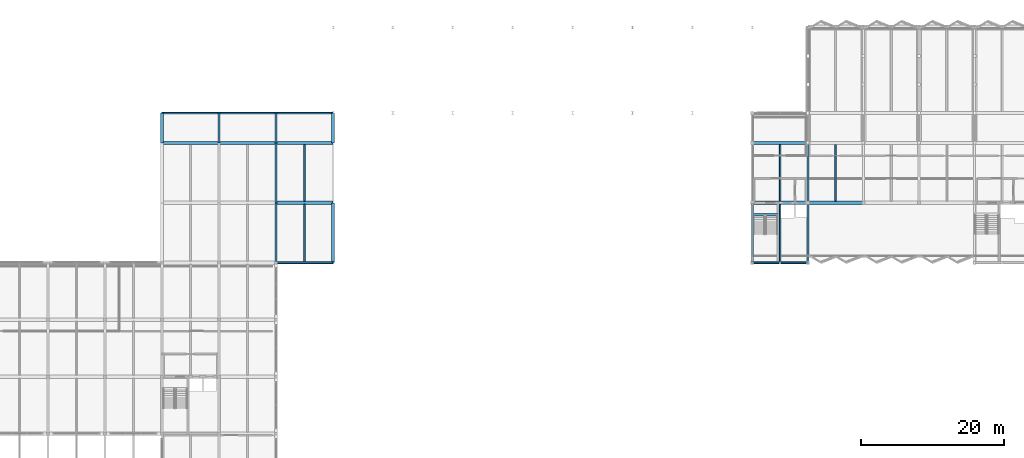
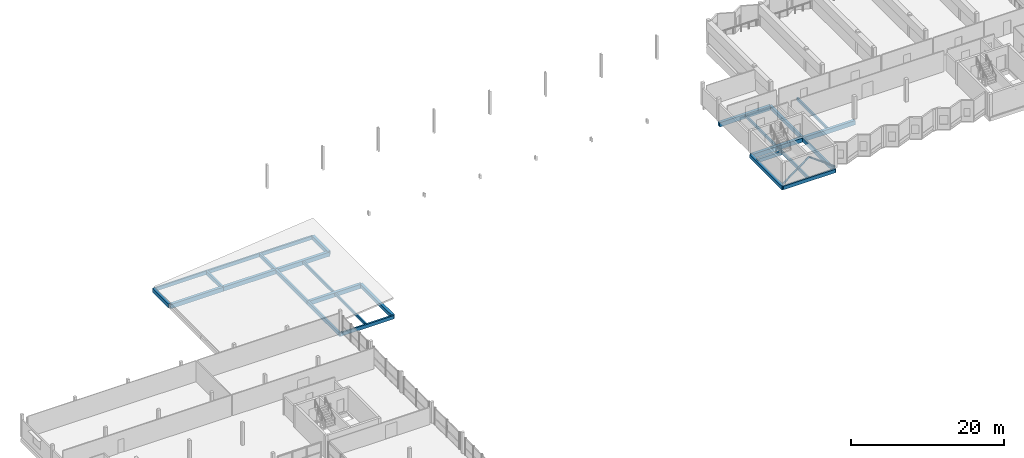
# One storey, part 17 of 34: 28 beams, 2 members.
"""IFC4 building model written with IfcOpenShell, lengths in metres."""

from ifc_helpers import new_model, si_unit, direction, frame, origin, origin_2d, place, context, subcontext, project, spatial, rectangle, hollow_circle, extrude, material, material_profile, profile_set, type_object, element, save


model = new_model("IFC4")

# Units and contexts
model_context = context("Model", 3, precision=1e-05, world=origin(), true_north=direction((0.0, 1.0)))
body_context = subcontext(model_context, "Body", "Model", "MODEL_VIEW")
ifc_project = project(units=[si_unit("LENGTHUNIT", "METRE"), si_unit("AREAUNIT", "SQUARE_METRE"), si_unit("VOLUMEUNIT", "CUBIC_METRE"), si_unit("PLANEANGLEUNIT", "RADIAN"), si_unit("MASSUNIT", "GRAM", prefix="KILO")], contexts=[model_context])

# Site, building, storey
site_placement = place(None, origin())
site = spatial("IfcSite", under=ifc_project, at=site_placement, CompositionType="ELEMENT")
building_placement = place(site_placement, origin())
building = spatial("IfcBuilding", under=site, at=building_placement, Name="Vharandega Faculty of Natural Sciences", CompositionType="ELEMENT")
storey_placement = place(building_placement, frame((0.0, 0.0, 21.60009765625)))
storey = spatial("IfcBuildingStorey", under=building, at=storey_placement, Name="L05", CompositionType="ELEMENT", Elevation=21.60009765625)

# Beams
ifc_material_1 = material(Name="Glulam GL28h", Category="wood")
ifc_material_profile_1 = material_profile(ifc_material_1, rectangle(XDim=0.300048828125, YDim=0.60009765625, at=origin_2d()), Name="GL28h 300x600")
ifc_profile_set_1 = profile_set([ifc_material_profile_1], Name="Glulam GL28h")
beam_type_1 = type_object("IfcBeamType", Name="Glulam Floor Beam 300x600", PredefinedType="BEAM", material=ifc_profile_set_1)
beam_1_placement = place(storey_placement, frame((40.0, 80.800048828125, -0.5400390625), z_axis=(0.0, 1.0, 0.0), x_axis=(-1.0, 0.0, 0.0)))
element("IfcBeam", 1, at=beam_1_placement, inside=storey, type_object=beam_type_1, Name="Beam L05 6/L-M", PredefinedType="BEAM", context=body_context, shape_type="SweptSolid", body=[
    extrude(rectangle(XDim=0.300048828125, YDim=0.60009765625, at=origin_2d()), origin(), (0.0, 0.0, 1.0), 4.199951171875),
])
beam_2_placement = place(storey_placement, frame((48.0, 64.0, -0.5400390625), z_axis=(0.0, 1.0, 0.0), x_axis=(-1.0, 0.0, 0.0)))
element("IfcBeam", 2, at=beam_2_placement, inside=storey, type_object=beam_type_1, Name="Beam L05 7/J-K", PredefinedType="BEAM", context=body_context, shape_type="SweptSolid", body=[
    extrude(rectangle(XDim=0.300048828125, YDim=0.60009765625, at=origin_2d()), origin(), (0.0, 0.0, 1.0), 8.39990234375),
])
beam_3_placement = place(storey_placement, frame((48.0, 72.39990234375, -0.5400390625), z_axis=(0.0, 1.0, 0.0), x_axis=(-1.0, 0.0, 0.0)))
element("IfcBeam", 3, at=beam_3_placement, inside=storey, type_object=beam_type_1, Name="Beam L05 7/K-L", PredefinedType="BEAM", context=body_context, shape_type="SweptSolid", body=[
    extrude(rectangle(XDim=0.300048828125, YDim=0.60009765625, at=origin_2d()), origin(), (0.0, 0.0, 1.0), 8.400146484375),
])
beam_4_placement = place(storey_placement, frame((48.0, 80.800048828125, -0.5400390625), z_axis=(0.0, 1.0, 0.0), x_axis=(-1.0, 0.0, 0.0)))
element("IfcBeam", 4, at=beam_4_placement, inside=storey, type_object=beam_type_1, Name="Beam L05 7/L-M", PredefinedType="BEAM", context=body_context, shape_type="SweptSolid", body=[
    extrude(rectangle(XDim=0.300048828125, YDim=0.60009765625, at=origin_2d()), origin(), (0.0, 0.0, 1.0), 4.199951171875),
])
beam_5_placement = place(storey_placement, frame((122.60009765625, 64.0, -0.5400390625), z_axis=(0.0, 1.0, 0.0), x_axis=(-1.0, 0.0, 0.0)))
element("IfcBeam", 5, at=beam_5_placement, inside=storey, type_object=beam_type_1, Name="Beam L05 16/J-K", PredefinedType="BEAM", context=body_context, shape_type="SweptSolid", body=[
    extrude(rectangle(XDim=0.300048828125, YDim=0.60009765625, at=origin_2d()), origin(), (0.0, 0.0, 1.0), 8.39990234375),
])
beam_6_placement = place(storey_placement, frame((122.60009765625, 72.39990234375, -0.5400390625), z_axis=(0.0, 1.0, 0.0), x_axis=(-1.0, 0.0, 0.0)))
element("IfcBeam", 6, at=beam_6_placement, inside=storey, type_object=beam_type_1, Name="Beam L05 16/K-L", PredefinedType="BEAM", context=body_context, shape_type="SweptSolid", body=[
    extrude(rectangle(XDim=0.300048828125, YDim=0.60009765625, at=origin_2d()), origin(), (0.0, 0.0, 1.0), 8.400146484375),
])
ifc_material_2 = material(Name="Glulam GL32h", Category="wood")
ifc_material_profile_2 = material_profile(ifc_material_2, rectangle(XDim=0.43994140625, YDim=0.679931640625, at=origin_2d()), Name="GL32h 440x680")
ifc_profile_set_2 = profile_set([ifc_material_profile_2], Name="Glulam GL32h")
beam_type_2 = type_object("IfcBeamType", Name="Glulam Girder 440x680", PredefinedType="BEAM", material=ifc_profile_set_2)
beam_7_placement = place(storey_placement, frame((48.0, 72.39990234375, -0.580078125), z_axis=(1.0, 0.0, 0.0), x_axis=(0.0, 1.0, 0.0)))
element("IfcBeam", 7, at=beam_7_placement, inside=storey, type_object=beam_type_2, Name="Beam L05 K/7-8", PredefinedType="BEAM", context=body_context, shape_type="SweptSolid", body=[
    extrude(rectangle(XDim=0.43994140625, YDim=0.679931640625, at=origin_2d()), origin(), (0.0, 0.0, 1.0), 8.0),
])
beam_8_placement = place(storey_placement, frame((114.800048828125, 72.39990234375, -0.580078125), z_axis=(1.0, 0.0, 0.0), x_axis=(0.0, 1.0, 0.0)))
element("IfcBeam", 8, at=beam_8_placement, inside=storey, type_object=beam_type_2, Name="Beam L05 K/15-16", PredefinedType="BEAM", context=body_context, shape_type="SweptSolid", body=[
    extrude(rectangle(XDim=0.43994140625, YDim=0.679931640625, at=origin_2d()), origin(), (0.0, 0.0, 1.0), 7.800048828125),
])
beam_9_placement = place(storey_placement, frame((122.60009765625, 72.39990234375, -0.580078125), z_axis=(1.0, 0.0, 0.0), x_axis=(0.0, 1.0, 0.0)))
element("IfcBeam", 9, at=beam_9_placement, inside=storey, type_object=beam_type_2, Name="Beam L05 K/16-17", PredefinedType="BEAM", context=body_context, shape_type="SweptSolid", body=[
    extrude(rectangle(XDim=0.43994140625, YDim=0.679931640625, at=origin_2d()), origin(), (0.0, 0.0, 1.0), 7.7998046875),
])
for number, where, z_axis, x_axis, name in (
    (10, (32.0, 80.800048828125, -0.580078125), (1.0, 0.0, 0.0), (0.0, 1.0, 0.0), "Beam L05 L/5-6"),
    (11, (40.0, 80.800048828125, -0.580078125), (1.0, 0.0, 0.0), (0.0, 1.0, 0.0), "Beam L05 L/6-7"),
    (12, (48.0, 80.800048828125, -0.580078125), (1.0, 0.0, 0.0), (0.0, 1.0, 0.0), "Beam L05 L/7-8"),
):
    element("IfcBeam", number, at=place(storey_placement, frame(where, z_axis=z_axis, x_axis=x_axis)), inside=storey, type_object=beam_type_2, Name=name, PredefinedType="BEAM", context=body_context, shape_type="SweptSolid", body=[
        extrude(rectangle(XDim=0.43994140625, YDim=0.679931640625, at=origin_2d()), origin(), (0.0, 0.0, 1.0), 8.0),
    ])
beam_10_placement = place(storey_placement, frame((114.800048828125, 80.800048828125, -0.580078125), z_axis=(1.0, 0.0, 0.0), x_axis=(0.0, 1.0, 0.0)))
element("IfcBeam", 13, at=beam_10_placement, inside=storey, type_object=beam_type_2, Name="Beam L05 L/15-16", PredefinedType="BEAM", context=body_context, shape_type="SweptSolid", body=[
    extrude(rectangle(XDim=0.43994140625, YDim=0.679931640625, at=origin_2d()), origin(), (0.0, 0.0, 1.0), 7.800048828125),
])
ifc_material_3 = material(Name="Glulam GL28h", Category="wood")
ifc_material_profile_3 = material_profile(ifc_material_3, rectangle(XDim=0.219970703125, YDim=0.43994140625, at=origin_2d()), Name="GL28h 220x440")
ifc_profile_set_3 = profile_set([ifc_material_profile_3], Name="Glulam GL28h")
beam_type_3 = type_object("IfcBeamType", Name="Glulam Secondary Joist 220x440", PredefinedType="JOIST", material=ifc_profile_set_3)
beam_11_placement = place(storey_placement, frame((52.0, 64.1201171875, -0.460205078125), z_axis=(0.0, 1.0, 0.0), x_axis=(-1.0, 0.0, 0.0)))
element("IfcBeam", 14, at=beam_11_placement, inside=storey, type_object=beam_type_3, Name="Secondary Joist L05 7-8/J-K", PredefinedType="JOIST", context=body_context, shape_type="SweptSolid", body=[
    extrude(rectangle(XDim=0.219970703125, YDim=0.43994140625, at=origin_2d()), origin(), (0.0, 0.0, 1.0), 8.059814453125),
])
beam_12_placement = place(storey_placement, frame((52.0, 72.6201171875, -0.460205078125), z_axis=(0.0, 1.0, 0.0), x_axis=(-1.0, 0.0, 0.0)))
element("IfcBeam", 15, at=beam_12_placement, inside=storey, type_object=beam_type_3, Name="Secondary Joist L05 7-8/K-L", PredefinedType="JOIST", context=body_context, shape_type="SweptSolid", body=[
    extrude(rectangle(XDim=0.219970703125, YDim=0.43994140625, at=origin_2d()), origin(), (0.0, 0.0, 1.0), 7.9599609375),
])
beam_13_placement = place(storey_placement, frame((118.699951171875, 64.1201171875, -0.460205078125), z_axis=(0.0, 1.0, 0.0), x_axis=(-1.0, 0.0, 0.0)))
element("IfcBeam", 16, at=beam_13_placement, inside=storey, type_object=beam_type_3, Name="Secondary Joist L05 15-16/J-K", PredefinedType="JOIST", context=body_context, shape_type="SweptSolid", body=[
    extrude(rectangle(XDim=0.219970703125, YDim=0.43994140625, at=origin_2d()), origin(), (0.0, 0.0, 1.0), 8.059814453125),
])
for number, where, z_axis, x_axis, name in (
    (17, (118.699951171875, 72.6201171875, -0.460205078125), (0.0, 1.0, 0.0), (-1.0, 0.0, 0.0), "Secondary Joist L05 15-16/K-L"),
    (18, (126.5, 72.6201171875, -0.460205078125), (0.0, 1.0, 0.0), (-1.0, 0.0, 0.0), "Secondary Joist L05 16-17/K-L"),
):
    element("IfcBeam", number, at=place(storey_placement, frame(where, z_axis=z_axis, x_axis=x_axis)), inside=storey, type_object=beam_type_3, Name=name, PredefinedType="JOIST", context=body_context, shape_type="SweptSolid", body=[
        extrude(rectangle(XDim=0.219970703125, YDim=0.43994140625, at=origin_2d()), origin(), (0.0, 0.0, 1.0), 7.9599609375),
    ])
ifc_material_4 = material(Name="Glulam GL28h", Category="wood")
ifc_material_profile_4 = material_profile(ifc_material_4, rectangle(XDim=0.239990234375, YDim=0.56005859375, at=origin_2d()), Name="GL28h 240x560")
ifc_profile_set_4 = profile_set([ifc_material_profile_4], Name="Glulam GL28h")
beam_type_4 = type_object("IfcBeamType", Name="Glulam Spandrel Edge Beam 240x560", PredefinedType="SPANDREL", material=ifc_profile_set_4)
beam_14_placement = place(storey_placement, frame((48.0, 64.0, -0.52001953125), z_axis=(1.0, 0.0, 0.0), x_axis=(0.0, 1.0, 0.0)))
element("IfcBeam", 19, at=beam_14_placement, inside=storey, type_object=beam_type_4, Name="Beam L05 J/7-8", PredefinedType="SPANDREL", context=body_context, shape_type="SweptSolid", body=[
    extrude(rectangle(XDim=0.239990234375, YDim=0.56005859375, at=origin_2d()), origin(), (0.0, 0.0, 1.0), 8.0),
])
beam_15_placement = place(storey_placement, frame((114.800048828125, 64.0, -0.52001953125), z_axis=(1.0, 0.0, 0.0), x_axis=(0.0, 1.0, 0.0)))
element("IfcBeam", 20, at=beam_15_placement, inside=storey, type_object=beam_type_4, Name="Beam L05 J/15-16", PredefinedType="SPANDREL", context=body_context, shape_type="SweptSolid", body=[
    extrude(rectangle(XDim=0.239990234375, YDim=0.56005859375, at=origin_2d()), origin(), (0.0, 0.0, 1.0), 7.800048828125),
])
for number, where, z_axis, x_axis, name in (
    (21, (32.0, 85.0, -0.52001953125), (1.0, 0.0, 0.0), (0.0, 1.0, 0.0), "Beam L05 M/5-6"),
    (22, (40.0, 85.0, -0.52001953125), (1.0, 0.0, 0.0), (0.0, 1.0, 0.0), "Beam L05 M/6-7"),
    (23, (48.0, 85.0, -0.52001953125), (1.0, 0.0, 0.0), (0.0, 1.0, 0.0), "Beam L05 M/7-8"),
):
    element("IfcBeam", number, at=place(storey_placement, frame(where, z_axis=z_axis, x_axis=x_axis)), inside=storey, type_object=beam_type_4, Name=name, PredefinedType="SPANDREL", context=body_context, shape_type="SweptSolid", body=[
        extrude(rectangle(XDim=0.239990234375, YDim=0.56005859375, at=origin_2d()), origin(), (0.0, 0.0, 1.0), 8.0),
    ])
ifc_material_5 = material(Name="Glulam GL32h", Category="wood")
ifc_material_profile_5 = material_profile(ifc_material_5, rectangle(XDim=0.39990234375, YDim=0.60009765625, at=origin_2d()), Name="GL32h 400x600")
ifc_profile_set_5 = profile_set([ifc_material_profile_5], Name="Glulam GL32h")
beam_type_5 = type_object("IfcBeamType", Name="Glulam Spine Girder 400x600", PredefinedType="BEAM", material=ifc_profile_set_5)
beam_16_placement = place(storey_placement, frame((32.0, 80.800048828125, -0.5400390625), z_axis=(0.0, 1.0, 0.0), x_axis=(-1.0, 0.0, 0.0)))
element("IfcBeam", 24, at=beam_16_placement, inside=storey, type_object=beam_type_5, Name="Beam L05 5/L-M", PredefinedType="BEAM", context=body_context, shape_type="SweptSolid", body=[
    extrude(rectangle(XDim=0.39990234375, YDim=0.60009765625, at=origin_2d()), origin(), (0.0, 0.0, 1.0), 4.199951171875),
])
beam_17_placement = place(storey_placement, frame((56.0, 64.0, -0.5400390625), z_axis=(0.0, 1.0, 0.0), x_axis=(-1.0, 0.0, 0.0)))
element("IfcBeam", 25, at=beam_17_placement, inside=storey, type_object=beam_type_5, Name="Beam L05 8/J-K", PredefinedType="BEAM", context=body_context, shape_type="SweptSolid", body=[
    extrude(rectangle(XDim=0.39990234375, YDim=0.60009765625, at=origin_2d()), origin(), (0.0, 0.0, 1.0), 8.39990234375),
])
beam_18_placement = place(storey_placement, frame((56.0, 80.800048828125, -0.5400390625), z_axis=(0.0, 1.0, 0.0), x_axis=(-1.0, 0.0, 0.0)))
element("IfcBeam", 26, at=beam_18_placement, inside=storey, type_object=beam_type_5, Name="Beam L05 8/L-M", PredefinedType="BEAM", context=body_context, shape_type="SweptSolid", body=[
    extrude(rectangle(XDim=0.39990234375, YDim=0.60009765625, at=origin_2d()), origin(), (0.0, 0.0, 1.0), 4.199951171875),
])
beam_19_placement = place(storey_placement, frame((114.800048828125, 64.0, -0.5400390625), z_axis=(0.0, 1.0, 0.0), x_axis=(-1.0, 0.0, 0.0)))
element("IfcBeam", 27, at=beam_19_placement, inside=storey, type_object=beam_type_5, Name="Beam L05 15/J-K", PredefinedType="BEAM", context=body_context, shape_type="SweptSolid", body=[
    extrude(rectangle(XDim=0.39990234375, YDim=0.60009765625, at=origin_2d()), origin(), (0.0, 0.0, 1.0), 8.39990234375),
])

# Members
ifc_material_6 = material(Name="Steel S355", Category="steel")
ifc_material_profile_6 = material_profile(ifc_material_6, hollow_circle(Radius=0.136474609375, WallThickness=0.01611328125, at=origin_2d()), Name="CHS 273x16")
ifc_profile_set_6 = profile_set([ifc_material_profile_6], Name="Steel S355")
member_type = type_object("IfcMemberType", Name="Perimeter Chevron Brace CHS 273", PredefinedType="BRACE", material=ifc_profile_set_6)
member_1_placement = place(storey_placement, frame((114.800048828125, 64.0, 0.14990234375), z_axis=(0.804437709715, 0.0, 0.594037011631), x_axis=(0.0, 1.0, 0.0)))
element("IfcMember", 28, at=member_1_placement, inside=storey, type_object=member_type, Name="Chevron Brace J L05-1", PredefinedType="BRACE", context=body_context, shape_type="SweptSolid", body=[
    extrude(hollow_circle(Radius=0.136474609375, WallThickness=0.01611328125, at=origin_2d()), origin(), (0.0, 0.0, 1.0), 4.847900390625),
])
member_2_placement = place(storey_placement, frame((122.60009765625, 64.0, 0.14990234375), z_axis=(-0.804455479385, 0.0, 0.594012947407), x_axis=(0.0, -1.0, 0.0)))
element("IfcMember", 29, at=member_2_placement, inside=storey, type_object=member_type, Name="Chevron Brace J L05-2", PredefinedType="BRACE", context=body_context, shape_type="SweptSolid", body=[
    extrude(hollow_circle(Radius=0.136474609375, WallThickness=0.01611328125, at=origin_2d()), origin(), (0.0, 0.0, 1.0), 4.84814453125),
])

# Beam
ifc_material_7 = material(Name="Concrete C40/50", Category="concrete")
ifc_material_profile_7 = material_profile(ifc_material_7, rectangle(XDim=0.35009765625, YDim=0.550048828125, at=origin_2d()), Name="RC 350x550")
ifc_profile_set_7 = profile_set([ifc_material_profile_7], Name="Concrete C40/50")
beam_type_6 = type_object("IfcBeamType", Name="Stair Header Trimmer Beam 350x550", PredefinedType="BEAM", material=ifc_profile_set_7)
beam_20_placement = place(storey_placement, frame((114.800048828125, 70.75, -0.275146484375), z_axis=(1.0, 0.0, 0.0), x_axis=(0.0, 1.0, 0.0)))
element("IfcBeam", 30, at=beam_20_placement, inside=storey, type_object=beam_type_6, Name="Stair Landing Trimmer Beam C1 L05", PredefinedType="BEAM", context=body_context, shape_type="SweptSolid", body=[
    extrude(rectangle(XDim=0.35009765625, YDim=0.550048828125, at=origin_2d()), origin(), (0.0, 0.0, 1.0), 3.639892578125),
])

save(model, "model.ifc")
